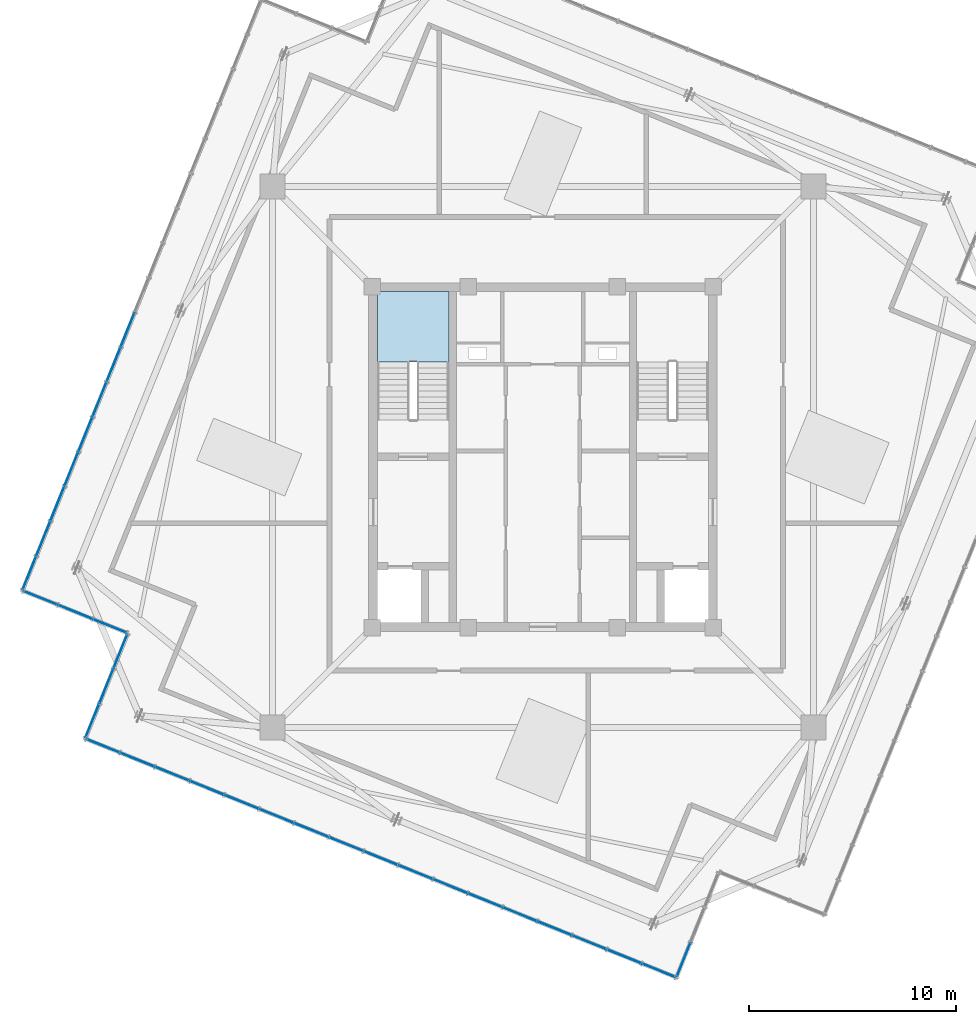
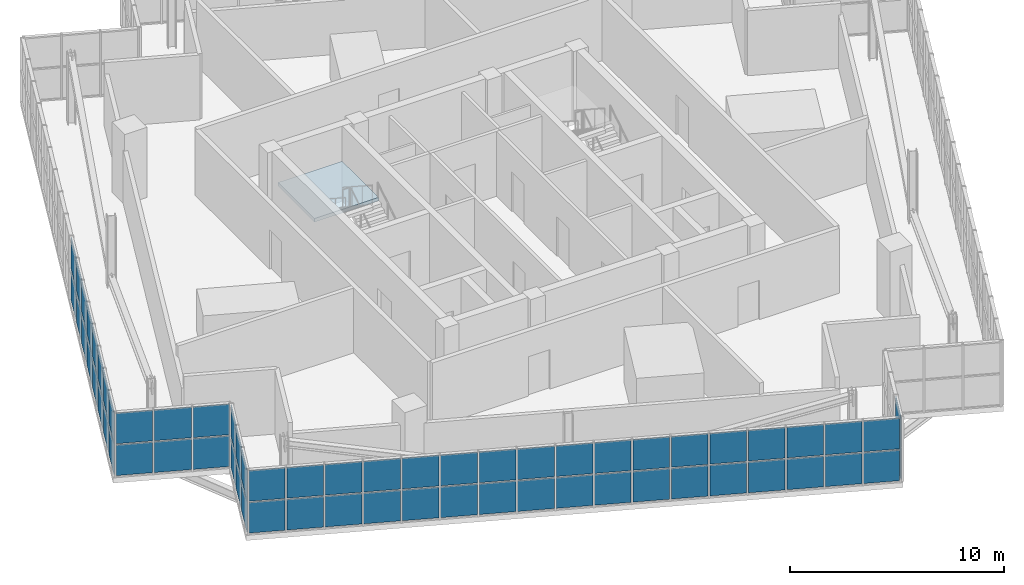
# One storey, part 18 of 26: 64 plates, 1 slab, 6 elements without a shape of their own.
"""IFC4 building model written with IfcOpenShell, lengths in metres."""

from ifc_helpers import new_model, si_unit, direction, frame, origin, origin_2d, place, context, subcontext, project, spatial, polyline, rectangle, outline, extrude, source, transform, mapped, material, layer, layer_set, type_object, element, aggregate, save


model = new_model("IFC4")

# Units and contexts
model_context = context("Model", 3, precision=1e-05, world=origin(), true_north=direction((0.0, 1.0)))
body_context = subcontext(model_context, "Body", "Model", "MODEL_VIEW")
ifc_project = project(units=[si_unit("LENGTHUNIT", "METRE"), si_unit("AREAUNIT", "SQUARE_METRE"), si_unit("VOLUMEUNIT", "CUBIC_METRE"), si_unit("PLANEANGLEUNIT", "RADIAN"), si_unit("MASSUNIT", "GRAM", prefix="KILO"), si_unit("THERMODYNAMICTEMPERATUREUNIT", "KELVIN")], contexts=[model_context])

# Site, building, storey
site_placement = place(None, origin())
site = spatial("IfcSite", under=ifc_project, at=site_placement, CompositionType="ELEMENT")
building_placement = place(site_placement, origin())
building = spatial("IfcBuilding", under=site, at=building_placement, Name="Kosmvard Interchange Tower", CompositionType="ELEMENT")
storey_placement = place(building_placement, frame((0.0, 0.0, 333.60009765625)))
storey = spatial("IfcBuildingStorey", under=building, at=storey_placement, Name="L82", CompositionType="ELEMENT", Elevation=333.60009765625)

# Stair, slab
ifc_material_1 = material(Name="Concrete C50/60", Category="concrete")
stair_type = type_object("IfcStairType", Name="Dog-Leg Core Exit Stair H4000 C50/60", PredefinedType="HALF_TURN_STAIR", material=ifc_material_1)
stair_placement = place(storey_placement, origin())
stair = element("IfcStair", 1, at=stair_placement, inside=storey, type_object=stair_type, Name="L82 Protected Exit Stair ST-1", PredefinedType="HALF_TURN_STAIR")
ifc_layer_1 = layer(ifc_material_1, 0.199951171875, Name="Concrete C50/60")
ifc_layer_set_1 = layer_set([ifc_layer_1], Name="Concrete C50/60")
slab_type = type_object("IfcSlabType", Name="Stair Half-Landing Slab 200 C50/60", PredefinedType="LANDING", material=ifc_layer_set_1)
slab_placement = place(storey_placement, frame((0.0, 0.0, 1.7998046875)))
slab = element("IfcSlab", 2, at=slab_placement, type_object=slab_type, Name="ST-1 landing 1", PredefinedType="LANDING", context=body_context, shape_type="SweptSolid", body=[
    extrude(outline(polyline([(-4.5400390625, 4.60009765625), (-4.5400390625, 8.0), (-8.0, 8.0), (-8.0, 4.60009765625), (-4.5400390625, 4.60009765625)])), origin(), (0.0, 0.0, 1.0), 0.2001953125),
])
aggregate(stair, [slab])

# Curtain wall, plates
ifc_material_2 = material(Name="Architectural anodised aluminium", Category="aluminium")
ifc_layer_2 = layer(ifc_material_2, 0.25, Name="Architectural anodised aluminium")
ifc_layer_set_2 = layer_set([ifc_layer_2], Name="Architectural anodised aluminium")
curtain_wall_type = type_object("IfcCurtainWallType", Name="CW-6 Illuminated Crown Lantern Curtain Wall", PredefinedType="NOTDEFINED", material=ifc_layer_set_2)
curtain_wall_1_placement = place(storey_placement, origin())
curtain_wall_1 = element("IfcCurtainWall", 3, at=curtain_wall_1_placement, inside=storey, type_object=curtain_wall_type, Name="L82 Crown Lantern Glazing Face 07", PredefinedType="NOTDEFINED")
ifc_material_3 = material(Name="Laminated acoustic lantern glazing", Category="glass")
ifc_layer_3 = layer(ifc_material_3, 0.035888671875, Name="Laminated acoustic lantern glazing")
ifc_layer_set_3 = layer_set([ifc_layer_3], Name="Laminated acoustic lantern glazing")
plate_type = type_object("IfcPlateType", Name="Lantern Diffused Illuminated Panel 36", PredefinedType="CURTAIN_PANEL", material=ifc_layer_set_3)
shared_shape_1 = source(origin(), body_context, "Body", "SweptSolid", [
    extrude(rectangle(XDim=1.694091796875, YDim=0.035888671875, at=origin_2d()), origin(), (0.0, 0.0, 1.0), 1.7451171875),
])
plate_1_placement = place(storey_placement, frame((-24.825927734375, -5.600830078125, 0.06982421875), z_axis=(0.0, 0.0, 1.0), x_axis=(-0.374606584758, -0.927183858065, 0.0)))
plate_1 = element("IfcPlate", 4, at=plate_1_placement, type_object=plate_type, Name="CW-6 panel 17.1", PredefinedType="CURTAIN_PANEL", context=body_context, shape_type="MappedRepresentation", body=[
    mapped(shared_shape_1, transform((0.0, 0.0, 0.0), scale=1.0)),
])
plate_2_placement = place(storey_placement, frame((-24.825927734375, -5.600830078125, 1.884765625), z_axis=(0.0, 0.0, 1.0), x_axis=(-0.374606584758, -0.927183858065, 0.0)))
plate_2 = element("IfcPlate", 5, at=plate_2_placement, type_object=plate_type, Name="CW-6 panel 17.2", PredefinedType="CURTAIN_PANEL", context=body_context, shape_type="MappedRepresentation", body=[
    mapped(shared_shape_1, transform((0.0, 0.0, 0.0), scale=1.0)),
])

curtain_wall_2_placement = place(storey_placement, origin())
curtain_wall_2 = element("IfcCurtainWall", 6, at=curtain_wall_2_placement, inside=storey, type_object=curtain_wall_type, Name="L82 Crown Lantern Glazing Face 10", PredefinedType="NOTDEFINED")
plate_3_placement = place(storey_placement, frame((-21.2744140625, -13.967529296875, 0.06982421875), z_axis=(0.0, 0.0, 1.0), x_axis=(0.927183858065, -0.374606584758, 0.0)))
plate_3 = element("IfcPlate", 7, at=plate_3_placement, type_object=plate_type, Name="CW-6 panel 1.1", PredefinedType="CURTAIN_PANEL", context=body_context, shape_type="MappedRepresentation", body=[
    mapped(shared_shape_1, transform((0.0, 0.0, 0.0), scale=1.0)),
])
plate_4_placement = place(storey_placement, frame((-21.2744140625, -13.967529296875, 1.884765625), z_axis=(0.0, 0.0, 1.0), x_axis=(0.927183858065, -0.374606584758, 0.0)))
plate_4 = element("IfcPlate", 8, at=plate_4_placement, type_object=plate_type, Name="CW-6 panel 1.2", PredefinedType="CURTAIN_PANEL", context=body_context, shape_type="MappedRepresentation", body=[
    mapped(shared_shape_1, transform((0.0, 0.0, 0.0), scale=1.0)),
])
plate_5_placement = place(storey_placement, frame((5.600830078125, -24.825927734375, 0.06982421875), z_axis=(0.0, 0.0, 1.0), x_axis=(0.927183858065, -0.374606584758, 0.0)))
plate_5 = element("IfcPlate", 9, at=plate_5_placement, type_object=plate_type, Name="CW-6 panel 17.1", PredefinedType="CURTAIN_PANEL", context=body_context, shape_type="MappedRepresentation", body=[
    mapped(shared_shape_1, transform((0.0, 0.0, 0.0), scale=1.0)),
])
plate_6_placement = place(storey_placement, frame((5.600830078125, -24.825927734375, 1.884765625), z_axis=(0.0, 0.0, 1.0), x_axis=(0.927183858065, -0.374606584758, 0.0)))
plate_6 = element("IfcPlate", 10, at=plate_6_placement, type_object=plate_type, Name="CW-6 panel 17.2", PredefinedType="CURTAIN_PANEL", context=body_context, shape_type="MappedRepresentation", body=[
    mapped(shared_shape_1, transform((0.0, 0.0, 0.0), scale=1.0)),
])

# Plate
shared_shape_2 = source(origin(), body_context, "Body", "SweptSolid", [
    extrude(rectangle(XDim=1.734130859375, YDim=0.035888671875, at=origin_2d()), origin(), (0.0, 0.0, 1.0), 1.7451171875),
])
plate_7_placement = place(storey_placement, frame((-20.076171875, 6.15478515625, 0.06982421875), z_axis=(0.0, 0.0, 1.0), x_axis=(-0.374606584758, -0.927183858065, 0.0)))
plate_7 = element("IfcPlate", 11, at=plate_7_placement, type_object=plate_type, Name="CW-6 panel 10.1", PredefinedType="CURTAIN_PANEL", context=body_context, shape_type="MappedRepresentation", body=[
    mapped(shared_shape_2, transform((0.0, 0.0, 0.0), scale=1.0)),
])

plate_8_placement = place(storey_placement, frame((-20.076171875, 6.15478515625, 1.884765625), z_axis=(0.0, 0.0, 1.0), x_axis=(-0.374606584758, -0.927183858065, 0.0)))
plate_8 = element("IfcPlate", 12, at=plate_8_placement, type_object=plate_type, Name="CW-6 panel 10.2", PredefinedType="CURTAIN_PANEL", context=body_context, shape_type="MappedRepresentation", body=[
    mapped(shared_shape_2, transform((0.0, 0.0, 0.0), scale=1.0)),
])

plate_9_placement = place(storey_placement, frame((-20.755859375, 4.47265625, 0.06982421875), z_axis=(0.0, 0.0, 1.0), x_axis=(-0.374606584758, -0.927183858065, 0.0)))
plate_9 = element("IfcPlate", 13, at=plate_9_placement, type_object=plate_type, Name="CW-6 panel 11.1", PredefinedType="CURTAIN_PANEL", context=body_context, shape_type="MappedRepresentation", body=[
    mapped(shared_shape_2, transform((0.0, 0.0, 0.0), scale=1.0)),
])

plate_10_placement = place(storey_placement, frame((-20.755859375, 4.47265625, 1.884765625), z_axis=(0.0, 0.0, 1.0), x_axis=(-0.374606584758, -0.927183858065, 0.0)))
plate_10 = element("IfcPlate", 14, at=plate_10_placement, type_object=plate_type, Name="CW-6 panel 11.2", PredefinedType="CURTAIN_PANEL", context=body_context, shape_type="MappedRepresentation", body=[
    mapped(shared_shape_2, transform((0.0, 0.0, 0.0), scale=1.0)),
])

plate_11_placement = place(storey_placement, frame((-21.435546875, 2.790771484375, 0.06982421875), z_axis=(0.0, 0.0, 1.0), x_axis=(-0.374606584758, -0.927183858065, 0.0)))
plate_11 = element("IfcPlate", 15, at=plate_11_placement, type_object=plate_type, Name="CW-6 panel 12.1", PredefinedType="CURTAIN_PANEL", context=body_context, shape_type="MappedRepresentation", body=[
    mapped(shared_shape_2, transform((0.0, 0.0, 0.0), scale=1.0)),
])

plate_12_placement = place(storey_placement, frame((-21.435546875, 2.790771484375, 1.884765625), z_axis=(0.0, 0.0, 1.0), x_axis=(-0.374606584758, -0.927183858065, 0.0)))
plate_12 = element("IfcPlate", 16, at=plate_12_placement, type_object=plate_type, Name="CW-6 panel 12.2", PredefinedType="CURTAIN_PANEL", context=body_context, shape_type="MappedRepresentation", body=[
    mapped(shared_shape_2, transform((0.0, 0.0, 0.0), scale=1.0)),
])

plate_13_placement = place(storey_placement, frame((-22.114990234375, 1.108642578125, 0.06982421875), z_axis=(0.0, 0.0, 1.0), x_axis=(-0.374606584758, -0.927183858065, 0.0)))
plate_13 = element("IfcPlate", 17, at=plate_13_placement, type_object=plate_type, Name="CW-6 panel 13.1", PredefinedType="CURTAIN_PANEL", context=body_context, shape_type="MappedRepresentation", body=[
    mapped(shared_shape_2, transform((0.0, 0.0, 0.0), scale=1.0)),
])

plate_14_placement = place(storey_placement, frame((-22.114990234375, 1.108642578125, 1.884765625), z_axis=(0.0, 0.0, 1.0), x_axis=(-0.374606584758, -0.927183858065, 0.0)))
plate_14 = element("IfcPlate", 18, at=plate_14_placement, type_object=plate_type, Name="CW-6 panel 13.2", PredefinedType="CURTAIN_PANEL", context=body_context, shape_type="MappedRepresentation", body=[
    mapped(shared_shape_2, transform((0.0, 0.0, 0.0), scale=1.0)),
])

plate_15_placement = place(storey_placement, frame((-22.794677734375, -0.5732421875, 0.06982421875), z_axis=(0.0, 0.0, 1.0), x_axis=(-0.374606584758, -0.927183858065, 0.0)))
plate_15 = element("IfcPlate", 19, at=plate_15_placement, type_object=plate_type, Name="CW-6 panel 14.1", PredefinedType="CURTAIN_PANEL", context=body_context, shape_type="MappedRepresentation", body=[
    mapped(shared_shape_2, transform((0.0, 0.0, 0.0), scale=1.0)),
])

plate_16_placement = place(storey_placement, frame((-22.794677734375, -0.5732421875, 1.884765625), z_axis=(0.0, 0.0, 1.0), x_axis=(-0.374606584758, -0.927183858065, 0.0)))
plate_16 = element("IfcPlate", 20, at=plate_16_placement, type_object=plate_type, Name="CW-6 panel 14.2", PredefinedType="CURTAIN_PANEL", context=body_context, shape_type="MappedRepresentation", body=[
    mapped(shared_shape_2, transform((0.0, 0.0, 0.0), scale=1.0)),
])

plate_17_placement = place(storey_placement, frame((-23.47412109375, -2.25537109375, 0.06982421875), z_axis=(0.0, 0.0, 1.0), x_axis=(-0.374606584758, -0.927183858065, 0.0)))
plate_17 = element("IfcPlate", 21, at=plate_17_placement, type_object=plate_type, Name="CW-6 panel 15.1", PredefinedType="CURTAIN_PANEL", context=body_context, shape_type="MappedRepresentation", body=[
    mapped(shared_shape_2, transform((0.0, 0.0, 0.0), scale=1.0)),
])

plate_18_placement = place(storey_placement, frame((-23.47412109375, -2.25537109375, 1.884765625), z_axis=(0.0, 0.0, 1.0), x_axis=(-0.374606584758, -0.927183858065, 0.0)))
plate_18 = element("IfcPlate", 22, at=plate_18_placement, type_object=plate_type, Name="CW-6 panel 15.2", PredefinedType="CURTAIN_PANEL", context=body_context, shape_type="MappedRepresentation", body=[
    mapped(shared_shape_2, transform((0.0, 0.0, 0.0), scale=1.0)),
])

plate_19_placement = place(storey_placement, frame((-24.15380859375, -3.937255859375, 0.06982421875), z_axis=(0.0, 0.0, 1.0), x_axis=(-0.374606584758, -0.927183858065, 0.0)))
plate_19 = element("IfcPlate", 23, at=plate_19_placement, type_object=plate_type, Name="CW-6 panel 16.1", PredefinedType="CURTAIN_PANEL", context=body_context, shape_type="MappedRepresentation", body=[
    mapped(shared_shape_2, transform((0.0, 0.0, 0.0), scale=1.0)),
])

plate_20_placement = place(storey_placement, frame((-24.15380859375, -3.937255859375, 1.884765625), z_axis=(0.0, 0.0, 1.0), x_axis=(-0.374606584758, -0.927183858065, 0.0)))
plate_20 = element("IfcPlate", 24, at=plate_20_placement, type_object=plate_type, Name="CW-6 panel 16.2", PredefinedType="CURTAIN_PANEL", context=body_context, shape_type="MappedRepresentation", body=[
    mapped(shared_shape_2, transform((0.0, 0.0, 0.0), scale=1.0)),
])

aggregate(curtain_wall_1, [plate_7, plate_8, plate_9, plate_10, plate_11, plate_12, plate_13, plate_14, plate_15, plate_16, plate_17, plate_18, plate_19, plate_20, plate_1, plate_2])

plate_21_placement = place(storey_placement, frame((-19.61083984375, -14.6396484375, 0.06982421875), z_axis=(0.0, 0.0, 1.0), x_axis=(0.927183858065, -0.374606584758, 0.0)))
plate_21 = element("IfcPlate", 25, at=plate_21_placement, type_object=plate_type, Name="CW-6 panel 2.1", PredefinedType="CURTAIN_PANEL", context=body_context, shape_type="MappedRepresentation", body=[
    mapped(shared_shape_2, transform((0.0, 0.0, 0.0), scale=1.0)),
])

plate_22_placement = place(storey_placement, frame((-19.61083984375, -14.6396484375, 1.884765625), z_axis=(0.0, 0.0, 1.0), x_axis=(0.927183858065, -0.374606584758, 0.0)))
plate_22 = element("IfcPlate", 26, at=plate_22_placement, type_object=plate_type, Name="CW-6 panel 2.2", PredefinedType="CURTAIN_PANEL", context=body_context, shape_type="MappedRepresentation", body=[
    mapped(shared_shape_2, transform((0.0, 0.0, 0.0), scale=1.0)),
])

plate_23_placement = place(storey_placement, frame((-17.928955078125, -15.319091796875, 0.06982421875), z_axis=(0.0, 0.0, 1.0), x_axis=(0.927183858065, -0.374606584758, 0.0)))
plate_23 = element("IfcPlate", 27, at=plate_23_placement, type_object=plate_type, Name="CW-6 panel 3.1", PredefinedType="CURTAIN_PANEL", context=body_context, shape_type="MappedRepresentation", body=[
    mapped(shared_shape_2, transform((0.0, 0.0, 0.0), scale=1.0)),
])

plate_24_placement = place(storey_placement, frame((-17.928955078125, -15.319091796875, 1.884765625), z_axis=(0.0, 0.0, 1.0), x_axis=(0.927183858065, -0.374606584758, 0.0)))
plate_24 = element("IfcPlate", 28, at=plate_24_placement, type_object=plate_type, Name="CW-6 panel 3.2", PredefinedType="CURTAIN_PANEL", context=body_context, shape_type="MappedRepresentation", body=[
    mapped(shared_shape_2, transform((0.0, 0.0, 0.0), scale=1.0)),
])

plate_25_placement = place(storey_placement, frame((-16.246826171875, -15.998779296875, 0.06982421875), z_axis=(0.0, 0.0, 1.0), x_axis=(0.927183858065, -0.374606584758, 0.0)))
plate_25 = element("IfcPlate", 29, at=plate_25_placement, type_object=plate_type, Name="CW-6 panel 4.1", PredefinedType="CURTAIN_PANEL", context=body_context, shape_type="MappedRepresentation", body=[
    mapped(shared_shape_2, transform((0.0, 0.0, 0.0), scale=1.0)),
])

plate_26_placement = place(storey_placement, frame((-16.246826171875, -15.998779296875, 1.884765625), z_axis=(0.0, 0.0, 1.0), x_axis=(0.927183858065, -0.374606584758, 0.0)))
plate_26 = element("IfcPlate", 30, at=plate_26_placement, type_object=plate_type, Name="CW-6 panel 4.2", PredefinedType="CURTAIN_PANEL", context=body_context, shape_type="MappedRepresentation", body=[
    mapped(shared_shape_2, transform((0.0, 0.0, 0.0), scale=1.0)),
])

plate_27_placement = place(storey_placement, frame((-14.56494140625, -16.678466796875, 0.06982421875), z_axis=(0.0, 0.0, 1.0), x_axis=(0.927183858065, -0.374606584758, 0.0)))
plate_27 = element("IfcPlate", 31, at=plate_27_placement, type_object=plate_type, Name="CW-6 panel 5.1", PredefinedType="CURTAIN_PANEL", context=body_context, shape_type="MappedRepresentation", body=[
    mapped(shared_shape_2, transform((0.0, 0.0, 0.0), scale=1.0)),
])

plate_28_placement = place(storey_placement, frame((-14.56494140625, -16.678466796875, 1.884765625), z_axis=(0.0, 0.0, 1.0), x_axis=(0.927183858065, -0.374606584758, 0.0)))
plate_28 = element("IfcPlate", 32, at=plate_28_placement, type_object=plate_type, Name="CW-6 panel 5.2", PredefinedType="CURTAIN_PANEL", context=body_context, shape_type="MappedRepresentation", body=[
    mapped(shared_shape_2, transform((0.0, 0.0, 0.0), scale=1.0)),
])

plate_29_placement = place(storey_placement, frame((-12.8828125, -17.35791015625, 0.06982421875), z_axis=(0.0, 0.0, 1.0), x_axis=(0.927183858065, -0.374606584758, 0.0)))
plate_29 = element("IfcPlate", 33, at=plate_29_placement, type_object=plate_type, Name="CW-6 panel 6.1", PredefinedType="CURTAIN_PANEL", context=body_context, shape_type="MappedRepresentation", body=[
    mapped(shared_shape_2, transform((0.0, 0.0, 0.0), scale=1.0)),
])

plate_30_placement = place(storey_placement, frame((-12.8828125, -17.35791015625, 1.884765625), z_axis=(0.0, 0.0, 1.0), x_axis=(0.927183858065, -0.374606584758, 0.0)))
plate_30 = element("IfcPlate", 34, at=plate_30_placement, type_object=plate_type, Name="CW-6 panel 6.2", PredefinedType="CURTAIN_PANEL", context=body_context, shape_type="MappedRepresentation", body=[
    mapped(shared_shape_2, transform((0.0, 0.0, 0.0), scale=1.0)),
])

plate_31_placement = place(storey_placement, frame((-11.200927734375, -18.03759765625, 0.06982421875), z_axis=(0.0, 0.0, 1.0), x_axis=(0.927183858065, -0.374606584758, 0.0)))
plate_31 = element("IfcPlate", 35, at=plate_31_placement, type_object=plate_type, Name="CW-6 panel 7.1", PredefinedType="CURTAIN_PANEL", context=body_context, shape_type="MappedRepresentation", body=[
    mapped(shared_shape_2, transform((0.0, 0.0, 0.0), scale=1.0)),
])

plate_32_placement = place(storey_placement, frame((-11.200927734375, -18.03759765625, 1.884765625), z_axis=(0.0, 0.0, 1.0), x_axis=(0.927183858065, -0.374606584758, 0.0)))
plate_32 = element("IfcPlate", 36, at=plate_32_placement, type_object=plate_type, Name="CW-6 panel 7.2", PredefinedType="CURTAIN_PANEL", context=body_context, shape_type="MappedRepresentation", body=[
    mapped(shared_shape_2, transform((0.0, 0.0, 0.0), scale=1.0)),
])

plate_33_placement = place(storey_placement, frame((-9.518798828125, -18.717041015625, 0.06982421875), z_axis=(0.0, 0.0, 1.0), x_axis=(0.927183858065, -0.374606584758, 0.0)))
plate_33 = element("IfcPlate", 37, at=plate_33_placement, type_object=plate_type, Name="CW-6 panel 8.1", PredefinedType="CURTAIN_PANEL", context=body_context, shape_type="MappedRepresentation", body=[
    mapped(shared_shape_2, transform((0.0, 0.0, 0.0), scale=1.0)),
])

plate_34_placement = place(storey_placement, frame((-9.518798828125, -18.717041015625, 1.884765625), z_axis=(0.0, 0.0, 1.0), x_axis=(0.927183858065, -0.374606584758, 0.0)))
plate_34 = element("IfcPlate", 38, at=plate_34_placement, type_object=plate_type, Name="CW-6 panel 8.2", PredefinedType="CURTAIN_PANEL", context=body_context, shape_type="MappedRepresentation", body=[
    mapped(shared_shape_2, transform((0.0, 0.0, 0.0), scale=1.0)),
])

plate_35_placement = place(storey_placement, frame((-7.836669921875, -19.396728515625, 0.06982421875), z_axis=(0.0, 0.0, 1.0), x_axis=(0.927183858065, -0.374606584758, 0.0)))
plate_35 = element("IfcPlate", 39, at=plate_35_placement, type_object=plate_type, Name="CW-6 panel 9.1", PredefinedType="CURTAIN_PANEL", context=body_context, shape_type="MappedRepresentation", body=[
    mapped(shared_shape_2, transform((0.0, 0.0, 0.0), scale=1.0)),
])

plate_36_placement = place(storey_placement, frame((-7.836669921875, -19.396728515625, 1.884765625), z_axis=(0.0, 0.0, 1.0), x_axis=(0.927183858065, -0.374606584758, 0.0)))
plate_36 = element("IfcPlate", 40, at=plate_36_placement, type_object=plate_type, Name="CW-6 panel 9.2", PredefinedType="CURTAIN_PANEL", context=body_context, shape_type="MappedRepresentation", body=[
    mapped(shared_shape_2, transform((0.0, 0.0, 0.0), scale=1.0)),
])

plate_37_placement = place(storey_placement, frame((-6.15478515625, -20.076171875, 0.06982421875), z_axis=(0.0, 0.0, 1.0), x_axis=(0.927183858065, -0.374606584758, 0.0)))
plate_37 = element("IfcPlate", 41, at=plate_37_placement, type_object=plate_type, Name="CW-6 panel 10.1", PredefinedType="CURTAIN_PANEL", context=body_context, shape_type="MappedRepresentation", body=[
    mapped(shared_shape_2, transform((0.0, 0.0, 0.0), scale=1.0)),
])

plate_38_placement = place(storey_placement, frame((-6.15478515625, -20.076171875, 1.884765625), z_axis=(0.0, 0.0, 1.0), x_axis=(0.927183858065, -0.374606584758, 0.0)))
plate_38 = element("IfcPlate", 42, at=plate_38_placement, type_object=plate_type, Name="CW-6 panel 10.2", PredefinedType="CURTAIN_PANEL", context=body_context, shape_type="MappedRepresentation", body=[
    mapped(shared_shape_2, transform((0.0, 0.0, 0.0), scale=1.0)),
])

plate_39_placement = place(storey_placement, frame((-4.47265625, -20.755859375, 0.06982421875), z_axis=(0.0, 0.0, 1.0), x_axis=(0.927183858065, -0.374606584758, 0.0)))
plate_39 = element("IfcPlate", 43, at=plate_39_placement, type_object=plate_type, Name="CW-6 panel 11.1", PredefinedType="CURTAIN_PANEL", context=body_context, shape_type="MappedRepresentation", body=[
    mapped(shared_shape_2, transform((0.0, 0.0, 0.0), scale=1.0)),
])

plate_40_placement = place(storey_placement, frame((-4.47265625, -20.755859375, 1.884765625), z_axis=(0.0, 0.0, 1.0), x_axis=(0.927183858065, -0.374606584758, 0.0)))
plate_40 = element("IfcPlate", 44, at=plate_40_placement, type_object=plate_type, Name="CW-6 panel 11.2", PredefinedType="CURTAIN_PANEL", context=body_context, shape_type="MappedRepresentation", body=[
    mapped(shared_shape_2, transform((0.0, 0.0, 0.0), scale=1.0)),
])

plate_41_placement = place(storey_placement, frame((-2.790771484375, -21.435546875, 0.06982421875), z_axis=(0.0, 0.0, 1.0), x_axis=(0.927183858065, -0.374606584758, 0.0)))
plate_41 = element("IfcPlate", 45, at=plate_41_placement, type_object=plate_type, Name="CW-6 panel 12.1", PredefinedType="CURTAIN_PANEL", context=body_context, shape_type="MappedRepresentation", body=[
    mapped(shared_shape_2, transform((0.0, 0.0, 0.0), scale=1.0)),
])

plate_42_placement = place(storey_placement, frame((-2.790771484375, -21.435546875, 1.884765625), z_axis=(0.0, 0.0, 1.0), x_axis=(0.927183858065, -0.374606584758, 0.0)))
plate_42 = element("IfcPlate", 46, at=plate_42_placement, type_object=plate_type, Name="CW-6 panel 12.2", PredefinedType="CURTAIN_PANEL", context=body_context, shape_type="MappedRepresentation", body=[
    mapped(shared_shape_2, transform((0.0, 0.0, 0.0), scale=1.0)),
])

plate_43_placement = place(storey_placement, frame((-1.108642578125, -22.114990234375, 0.06982421875), z_axis=(0.0, 0.0, 1.0), x_axis=(0.927183858065, -0.374606584758, 0.0)))
plate_43 = element("IfcPlate", 47, at=plate_43_placement, type_object=plate_type, Name="CW-6 panel 13.1", PredefinedType="CURTAIN_PANEL", context=body_context, shape_type="MappedRepresentation", body=[
    mapped(shared_shape_2, transform((0.0, 0.0, 0.0), scale=1.0)),
])

plate_44_placement = place(storey_placement, frame((-1.108642578125, -22.114990234375, 1.884765625), z_axis=(0.0, 0.0, 1.0), x_axis=(0.927183858065, -0.374606584758, 0.0)))
plate_44 = element("IfcPlate", 48, at=plate_44_placement, type_object=plate_type, Name="CW-6 panel 13.2", PredefinedType="CURTAIN_PANEL", context=body_context, shape_type="MappedRepresentation", body=[
    mapped(shared_shape_2, transform((0.0, 0.0, 0.0), scale=1.0)),
])

plate_45_placement = place(storey_placement, frame((0.5732421875, -22.794677734375, 0.06982421875), z_axis=(0.0, 0.0, 1.0), x_axis=(0.927183858065, -0.374606584758, 0.0)))
plate_45 = element("IfcPlate", 49, at=plate_45_placement, type_object=plate_type, Name="CW-6 panel 14.1", PredefinedType="CURTAIN_PANEL", context=body_context, shape_type="MappedRepresentation", body=[
    mapped(shared_shape_2, transform((0.0, 0.0, 0.0), scale=1.0)),
])

plate_46_placement = place(storey_placement, frame((0.5732421875, -22.794677734375, 1.884765625), z_axis=(0.0, 0.0, 1.0), x_axis=(0.927183858065, -0.374606584758, 0.0)))
plate_46 = element("IfcPlate", 50, at=plate_46_placement, type_object=plate_type, Name="CW-6 panel 14.2", PredefinedType="CURTAIN_PANEL", context=body_context, shape_type="MappedRepresentation", body=[
    mapped(shared_shape_2, transform((0.0, 0.0, 0.0), scale=1.0)),
])

plate_47_placement = place(storey_placement, frame((2.25537109375, -23.47412109375, 0.06982421875), z_axis=(0.0, 0.0, 1.0), x_axis=(0.927183858065, -0.374606584758, 0.0)))
plate_47 = element("IfcPlate", 51, at=plate_47_placement, type_object=plate_type, Name="CW-6 panel 15.1", PredefinedType="CURTAIN_PANEL", context=body_context, shape_type="MappedRepresentation", body=[
    mapped(shared_shape_2, transform((0.0, 0.0, 0.0), scale=1.0)),
])

plate_48_placement = place(storey_placement, frame((2.25537109375, -23.47412109375, 1.884765625), z_axis=(0.0, 0.0, 1.0), x_axis=(0.927183858065, -0.374606584758, 0.0)))
plate_48 = element("IfcPlate", 52, at=plate_48_placement, type_object=plate_type, Name="CW-6 panel 15.2", PredefinedType="CURTAIN_PANEL", context=body_context, shape_type="MappedRepresentation", body=[
    mapped(shared_shape_2, transform((0.0, 0.0, 0.0), scale=1.0)),
])

plate_49_placement = place(storey_placement, frame((3.937255859375, -24.15380859375, 0.06982421875), z_axis=(0.0, 0.0, 1.0), x_axis=(0.927183858065, -0.374606584758, 0.0)))
plate_49 = element("IfcPlate", 53, at=plate_49_placement, type_object=plate_type, Name="CW-6 panel 16.1", PredefinedType="CURTAIN_PANEL", context=body_context, shape_type="MappedRepresentation", body=[
    mapped(shared_shape_2, transform((0.0, 0.0, 0.0), scale=1.0)),
])

plate_50_placement = place(storey_placement, frame((3.937255859375, -24.15380859375, 1.884765625), z_axis=(0.0, 0.0, 1.0), x_axis=(0.927183858065, -0.374606584758, 0.0)))
plate_50 = element("IfcPlate", 54, at=plate_50_placement, type_object=plate_type, Name="CW-6 panel 16.2", PredefinedType="CURTAIN_PANEL", context=body_context, shape_type="MappedRepresentation", body=[
    mapped(shared_shape_2, transform((0.0, 0.0, 0.0), scale=1.0)),
])

aggregate(curtain_wall_2, [plate_3, plate_4, plate_21, plate_22, plate_23, plate_24, plate_25, plate_26, plate_27, plate_28, plate_29, plate_30, plate_31, plate_32, plate_33, plate_34, plate_35, plate_36, plate_37, plate_38, plate_39, plate_40, plate_41, plate_42, plate_43, plate_44, plate_45, plate_46, plate_47, plate_48, plate_49, plate_50, plate_5, plate_6])

# Curtain wall, plates
curtain_wall_3_placement = place(storey_placement, origin())
curtain_wall_3 = element("IfcCurtainWall", 55, at=curtain_wall_3_placement, inside=storey, type_object=curtain_wall_type, Name="L82 Crown Lantern Glazing Face 08", PredefinedType="NOTDEFINED")
shared_shape_3 = source(origin(), body_context, "Body", "SweptSolid", [
    extrude(rectangle(XDim=1.71337890625, YDim=0.035888671875, at=origin_2d()), origin(), (0.0, 0.0, 1.0), 1.7451171875),
])
plate_51_placement = place(storey_placement, frame((-24.3046875, -6.811279296875, 0.06982421875), z_axis=(0.0, 0.0, 1.0), x_axis=(0.92718386612, -0.374606564822, 0.0)))
plate_51 = element("IfcPlate", 56, at=plate_51_placement, type_object=plate_type, Name="CW-6 panel 1.1", PredefinedType="CURTAIN_PANEL", context=body_context, shape_type="MappedRepresentation", body=[
    mapped(shared_shape_3, transform((0.0, 0.0, 0.0), scale=1.0)),
])
plate_52_placement = place(storey_placement, frame((-24.3046875, -6.811279296875, 1.884765625), z_axis=(0.0, 0.0, 1.0), x_axis=(0.92718386612, -0.374606564822, 0.0)))
plate_52 = element("IfcPlate", 57, at=plate_52_placement, type_object=plate_type, Name="CW-6 panel 1.2", PredefinedType="CURTAIN_PANEL", context=body_context, shape_type="MappedRepresentation", body=[
    mapped(shared_shape_3, transform((0.0, 0.0, 0.0), scale=1.0)),
])
plate_53_placement = place(storey_placement, frame((-20.942138671875, -8.169921875, 0.06982421875), z_axis=(0.0, 0.0, 1.0), x_axis=(0.92718386612, -0.374606564822, 0.0)))
plate_53 = element("IfcPlate", 58, at=plate_53_placement, type_object=plate_type, Name="CW-6 panel 3.1", PredefinedType="CURTAIN_PANEL", context=body_context, shape_type="MappedRepresentation", body=[
    mapped(shared_shape_3, transform((0.0, 0.0, 0.0), scale=1.0)),
])
plate_54_placement = place(storey_placement, frame((-20.942138671875, -8.169921875, 1.884765625), z_axis=(0.0, 0.0, 1.0), x_axis=(0.92718386612, -0.374606564822, 0.0)))
plate_54 = element("IfcPlate", 59, at=plate_54_placement, type_object=plate_type, Name="CW-6 panel 3.2", PredefinedType="CURTAIN_PANEL", context=body_context, shape_type="MappedRepresentation", body=[
    mapped(shared_shape_3, transform((0.0, 0.0, 0.0), scale=1.0)),
])

curtain_wall_4_placement = place(storey_placement, origin())
curtain_wall_4 = element("IfcCurtainWall", 60, at=curtain_wall_4_placement, inside=storey, type_object=curtain_wall_type, Name="L82 Crown Lantern Glazing Face 09", PredefinedType="NOTDEFINED")
plate_55_placement = place(storey_placement, frame((-20.424560546875, -9.38916015625, 0.06982421875), z_axis=(0.0, 0.0, 1.0), x_axis=(-0.374606501678, -0.927183891631, 0.0)))
plate_55 = element("IfcPlate", 61, at=plate_55_placement, type_object=plate_type, Name="CW-6 panel 1.1", PredefinedType="CURTAIN_PANEL", context=body_context, shape_type="MappedRepresentation", body=[
    mapped(shared_shape_3, transform((0.0, 0.0, 0.0), scale=1.0)),
])
plate_56_placement = place(storey_placement, frame((-20.424560546875, -9.38916015625, 1.884765625), z_axis=(0.0, 0.0, 1.0), x_axis=(-0.374606501678, -0.927183891631, 0.0)))
plate_56 = element("IfcPlate", 62, at=plate_56_placement, type_object=plate_type, Name="CW-6 panel 1.2", PredefinedType="CURTAIN_PANEL", context=body_context, shape_type="MappedRepresentation", body=[
    mapped(shared_shape_3, transform((0.0, 0.0, 0.0), scale=1.0)),
])
plate_57_placement = place(storey_placement, frame((-21.782958984375, -12.751708984375, 0.06982421875), z_axis=(0.0, 0.0, 1.0), x_axis=(-0.374606501678, -0.927183891631, 0.0)))
plate_57 = element("IfcPlate", 63, at=plate_57_placement, type_object=plate_type, Name="CW-6 panel 3.1", PredefinedType="CURTAIN_PANEL", context=body_context, shape_type="MappedRepresentation", body=[
    mapped(shared_shape_3, transform((0.0, 0.0, 0.0), scale=1.0)),
])
plate_58_placement = place(storey_placement, frame((-21.782958984375, -12.751708984375, 1.884765625), z_axis=(0.0, 0.0, 1.0), x_axis=(-0.374606501678, -0.927183891631, 0.0)))
plate_58 = element("IfcPlate", 64, at=plate_58_placement, type_object=plate_type, Name="CW-6 panel 3.2", PredefinedType="CURTAIN_PANEL", context=body_context, shape_type="MappedRepresentation", body=[
    mapped(shared_shape_3, transform((0.0, 0.0, 0.0), scale=1.0)),
])

curtain_wall_5_placement = place(storey_placement, origin())
curtain_wall_5 = element("IfcCurtainWall", 65, at=curtain_wall_5_placement, inside=storey, type_object=curtain_wall_type, Name="L82 Crown Lantern Glazing Face 11", PredefinedType="NOTDEFINED")
plate_59_placement = place(storey_placement, frame((6.811279296875, -24.3046875, 0.06982421875), z_axis=(0.0, 0.0, 1.0), x_axis=(0.374606564822, 0.92718386612, 0.0)))
plate_59 = element("IfcPlate", 66, at=plate_59_placement, type_object=plate_type, Name="CW-6 panel 1.1", PredefinedType="CURTAIN_PANEL", context=body_context, shape_type="MappedRepresentation", body=[
    mapped(shared_shape_3, transform((0.0, 0.0, 0.0), scale=1.0)),
])
plate_60_placement = place(storey_placement, frame((6.811279296875, -24.3046875, 1.884765625), z_axis=(0.0, 0.0, 1.0), x_axis=(0.374606564822, 0.92718386612, 0.0)))
plate_60 = element("IfcPlate", 67, at=plate_60_placement, type_object=plate_type, Name="CW-6 panel 1.2", PredefinedType="CURTAIN_PANEL", context=body_context, shape_type="MappedRepresentation", body=[
    mapped(shared_shape_3, transform((0.0, 0.0, 0.0), scale=1.0)),
])
aggregate(curtain_wall_5, [plate_59, plate_60])

# Plate
shared_shape_4 = source(origin(), body_context, "Body", "SweptSolid", [
    extrude(rectangle(XDim=1.75341796875, YDim=0.035888671875, at=origin_2d()), origin(), (0.0, 0.0, 1.0), 1.7451171875),
])
plate_61_placement = place(storey_placement, frame((-22.623291015625, -7.490478515625, 0.06982421875), z_axis=(0.0, 0.0, 1.0), x_axis=(0.92718386612, -0.374606564822, 0.0)))
plate_61 = element("IfcPlate", 68, at=plate_61_placement, type_object=plate_type, Name="CW-6 panel 2.1", PredefinedType="CURTAIN_PANEL", context=body_context, shape_type="MappedRepresentation", body=[
    mapped(shared_shape_4, transform((0.0, 0.0, 0.0), scale=1.0)),
])

plate_62_placement = place(storey_placement, frame((-22.623291015625, -7.490478515625, 1.884765625), z_axis=(0.0, 0.0, 1.0), x_axis=(0.92718386612, -0.374606564822, 0.0)))
plate_62 = element("IfcPlate", 69, at=plate_62_placement, type_object=plate_type, Name="CW-6 panel 2.2", PredefinedType="CURTAIN_PANEL", context=body_context, shape_type="MappedRepresentation", body=[
    mapped(shared_shape_4, transform((0.0, 0.0, 0.0), scale=1.0)),
])

aggregate(curtain_wall_3, [plate_51, plate_52, plate_61, plate_62, plate_53, plate_54])

plate_63_placement = place(storey_placement, frame((-21.103759765625, -11.070556640625, 0.06982421875), z_axis=(0.0, 0.0, 1.0), x_axis=(-0.374606501678, -0.927183891631, 0.0)))
plate_63 = element("IfcPlate", 70, at=plate_63_placement, type_object=plate_type, Name="CW-6 panel 2.1", PredefinedType="CURTAIN_PANEL", context=body_context, shape_type="MappedRepresentation", body=[
    mapped(shared_shape_4, transform((0.0, 0.0, 0.0), scale=1.0)),
])

plate_64_placement = place(storey_placement, frame((-21.103759765625, -11.070556640625, 1.884765625), z_axis=(0.0, 0.0, 1.0), x_axis=(-0.374606501678, -0.927183891631, 0.0)))
plate_64 = element("IfcPlate", 71, at=plate_64_placement, type_object=plate_type, Name="CW-6 panel 2.2", PredefinedType="CURTAIN_PANEL", context=body_context, shape_type="MappedRepresentation", body=[
    mapped(shared_shape_4, transform((0.0, 0.0, 0.0), scale=1.0)),
])

aggregate(curtain_wall_4, [plate_55, plate_56, plate_63, plate_64, plate_57, plate_58])

save(model, "model.ifc")
